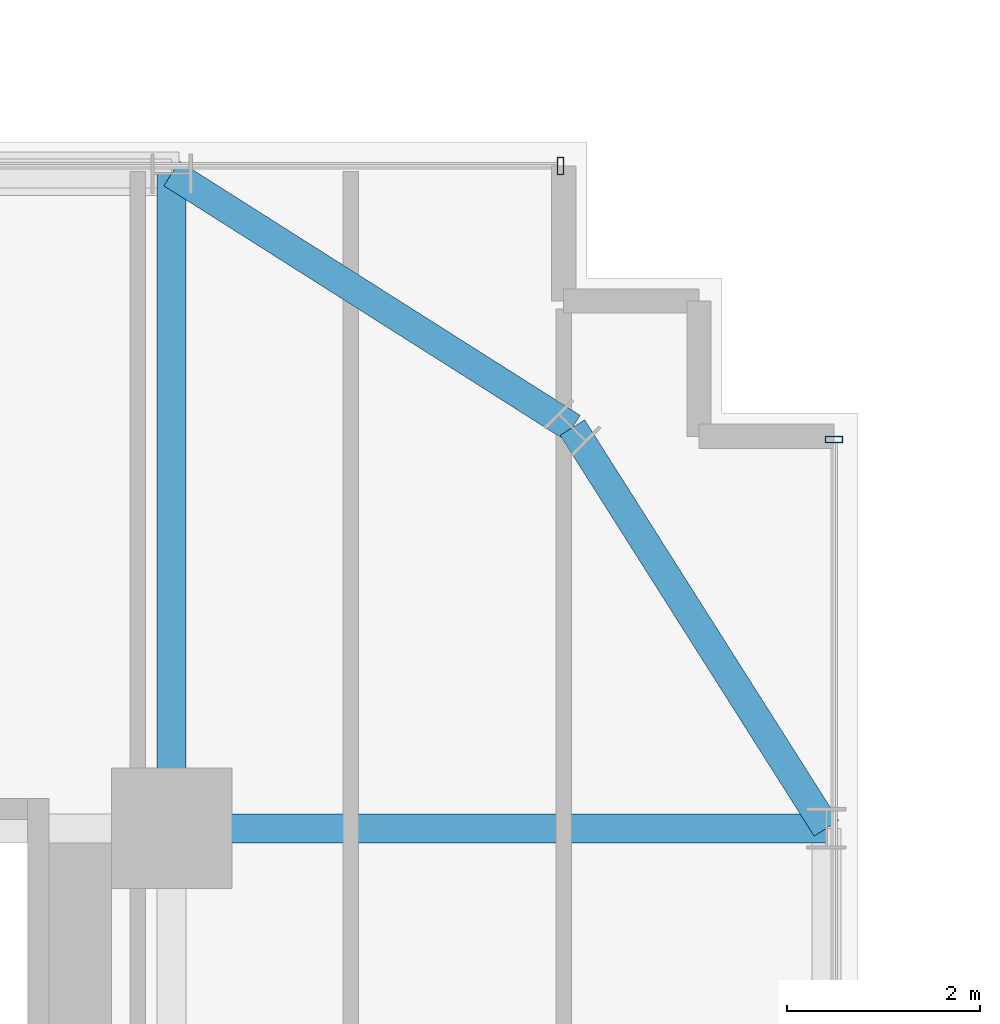
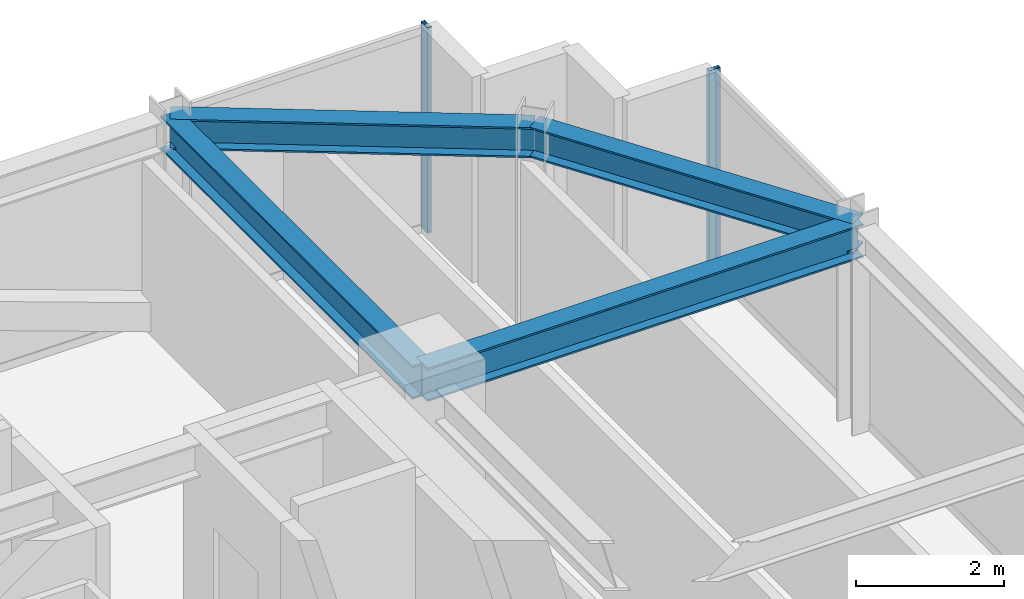
# One storey, part 25 of 34: 4 beams, 2 members, 2 elements without a shape of their own.
"""IFC4 building model written with IfcOpenShell, lengths in metres."""

from ifc_helpers import new_model, si_unit, direction, frame, origin, origin_2d, place, context, subcontext, project, spatial, hollow_rectangle, i_section, extrude, source, transform, mapped, material, material_profile, profile_set, type_object, element, aggregate, save


model = new_model("IFC4")

# Units and contexts
model_context = context("Model", 3, precision=1e-05, world=origin(), true_north=direction((0.0, 1.0)))
body_context = subcontext(model_context, "Body", "Model", "MODEL_VIEW")
ifc_project = project(units=[si_unit("LENGTHUNIT", "METRE"), si_unit("AREAUNIT", "SQUARE_METRE"), si_unit("VOLUMEUNIT", "CUBIC_METRE"), si_unit("PLANEANGLEUNIT", "RADIAN"), si_unit("MASSUNIT", "GRAM", prefix="KILO")], contexts=[model_context])

# Site, building, storey
site_placement = place(None, origin())
site = spatial("IfcSite", under=ifc_project, at=site_placement, CompositionType="ELEMENT")
building_placement = place(site_placement, origin())
building = spatial("IfcBuilding", under=site, at=building_placement, Name="Nahalor Promenade Grand Hotel", CompositionType="ELEMENT")
storey_placement = place(building_placement, frame((0.0, 0.0, 128.449951171875)))
storey = spatial("IfcBuildingStorey", under=building, at=storey_placement, Name="L32", CompositionType="ELEMENT", Elevation=128.449951171875)

# Beams
ifc_material_1 = material(Name="Steel S355JR", Category="steel")
ifc_material_profile_1 = material_profile(ifc_material_1, i_section(OverallWidth=0.3, OverallDepth=0.5, WebThickness=0.0145, FlangeThickness=0.028, at=origin_2d()), Name="HEB 500")
ifc_profile_set_1 = profile_set([ifc_material_profile_1], Name="Steel S355JR")
beam_type_1 = type_object("IfcBeamType", Name="Beam-Spandrel-HEB500", PredefinedType="SPANDREL", material=ifc_profile_set_1)
shared_shape_1 = source(origin(), body_context, "Body", "SweptSolid", [
    extrude(i_section(OverallWidth=0.3, OverallDepth=0.5, WebThickness=0.0145, FlangeThickness=0.028, at=origin_2d()), origin(), (0.0, 0.0, 1.0), 4.9130859375),
])
for number, where, z_axis, x_axis, name in (
    (1, (17.0, 23.780029296875, 3.130126953125), (0.844648325505, -0.535321591403, 0.0), (0.535321591403, 0.844648325505, 0.0), "BM-L32-SPC-NE-1"),
    (2, (21.14990234375, 21.14990234375, 3.130126953125), (0.535321591403, -0.844648325505, 0.0), (0.844648325505, 0.535321591403, 0.0), "BM-L32-SPC-NE-2"),
):
    element("IfcBeam", number, at=place(storey_placement, frame(where, z_axis=z_axis, x_axis=x_axis)), inside=storey, type_object=beam_type_1, Name=name, PredefinedType="SPANDREL", context=body_context, shape_type="MappedRepresentation", body=[
        mapped(shared_shape_1, transform((0.0, 0.0, 0.0), scale=1.0)),
    ])
ifc_material_profile_2 = material_profile(ifc_material_1, i_section(OverallWidth=0.3, OverallDepth=0.55, WebThickness=0.015, FlangeThickness=0.029, at=origin_2d()), Name="HEB 550")
ifc_profile_set_2 = profile_set([ifc_material_profile_2], Name="Steel S355JR")
beam_type_2 = type_object("IfcBeamType", Name="Beam-Girder-HEB550", PredefinedType="BEAM", material=ifc_profile_set_2)
shared_shape_2 = source(origin(), body_context, "Body", "SweptSolid", [
    extrude(i_section(OverallWidth=0.3, OverallDepth=0.55, WebThickness=0.015, FlangeThickness=0.029, at=origin_2d()), origin(), (0.0, 0.0, 1.0), 6.780029296875),
])
for number, where, z_axis, x_axis, name in (
    (3, (17.0, 17.0, 3.10498046875), (1.0, 0.0, 0.0), (0.0, 1.0, 0.0), "BM-L32-GX-3-6"),
    (4, (17.0, 17.0, 3.10498046875), (0.0, 1.0, 0.0), (-1.0, 0.0, 0.0), "BM-L32-GY-5-4"),
):
    element("IfcBeam", number, at=place(storey_placement, frame(where, z_axis=z_axis, x_axis=x_axis)), inside=storey, type_object=beam_type_2, Name=name, PredefinedType="BEAM", context=body_context, shape_type="MappedRepresentation", body=[
        mapped(shared_shape_2, transform((0.0, 0.0, 0.0), scale=1.0)),
    ])

# Curtain wall, member
ifc_material_2 = material(Name="Anodised Bronze Aluminium EN AW-6063 T6", Category="aluminium")
curtain_wall_type = type_object("IfcCurtainWallType", Name="CW2 Typical Hotel Flush Bronze Unitised Curtain Wall", PredefinedType="USERDEFINED", material=ifc_material_2)
curtain_wall_1_placement = place(storey_placement, origin())
curtain_wall_1 = element("IfcCurtainWall", 5, at=curtain_wall_1_placement, inside=storey, type_object=curtain_wall_type, Name="L32 Curtain Wall CW-L32-N-3", ObjectType="UNITISED_CURTAIN_WALL", PredefinedType="USERDEFINED")
ifc_material_profile_3 = material_profile(ifc_material_2, hollow_rectangle(XDim=0.065, YDim=0.18, WallThickness=0.004, at=origin_2d()), Name="CWM 65x180x4")
ifc_profile_set_3 = profile_set([ifc_material_profile_3], Name="Anodised Bronze Aluminium EN AW-6063 T6")
member_type = type_object("IfcMemberType", Name="CWM2 Typical Bronze Mullion 65x180", PredefinedType="MULLION", material=ifc_profile_set_3)
shared_shape_3 = source(origin(), body_context, "Body", "SweptSolid", [
    extrude(hollow_rectangle(XDim=0.065, YDim=0.18, WallThickness=0.004, at=origin_2d()), origin(), (0.0, 0.0, 1.0), 3.380126953125),
])
member_1_placement = place(storey_placement, frame((21.027587890625, 23.860107421875, 0.0), z_axis=(0.0, 0.0, 1.0), x_axis=(1.0, 0.0, 0.0)))
member_1 = element("IfcMember", 6, at=member_1_placement, type_object=member_type, Name="CW-L32-N-3 Mullion 3", PredefinedType="MULLION", context=body_context, shape_type="MappedRepresentation", body=[
    mapped(shared_shape_3, transform((0.0, 0.0, 0.0), scale=1.0)),
])
aggregate(curtain_wall_1, [member_1])

curtain_wall_2_placement = place(storey_placement, origin())
curtain_wall_2 = element("IfcCurtainWall", 7, at=curtain_wall_2_placement, inside=storey, type_object=curtain_wall_type, Name="L32 Curtain Wall CW-L32-E-3", ObjectType="UNITISED_CURTAIN_WALL", PredefinedType="USERDEFINED")
member_2_placement = place(storey_placement, frame((23.860107421875, 21.027587890625, 0.0), z_axis=(0.0, 0.0, 1.0), x_axis=(0.0, 1.0, 0.0)))
member_2 = element("IfcMember", 8, at=member_2_placement, type_object=member_type, Name="CW-L32-E-3 Mullion 3", PredefinedType="MULLION", context=body_context, shape_type="MappedRepresentation", body=[
    mapped(shared_shape_3, transform((0.0, 0.0, 0.0), scale=1.0)),
])
aggregate(curtain_wall_2, [member_2])

save(model, "model.ifc")
